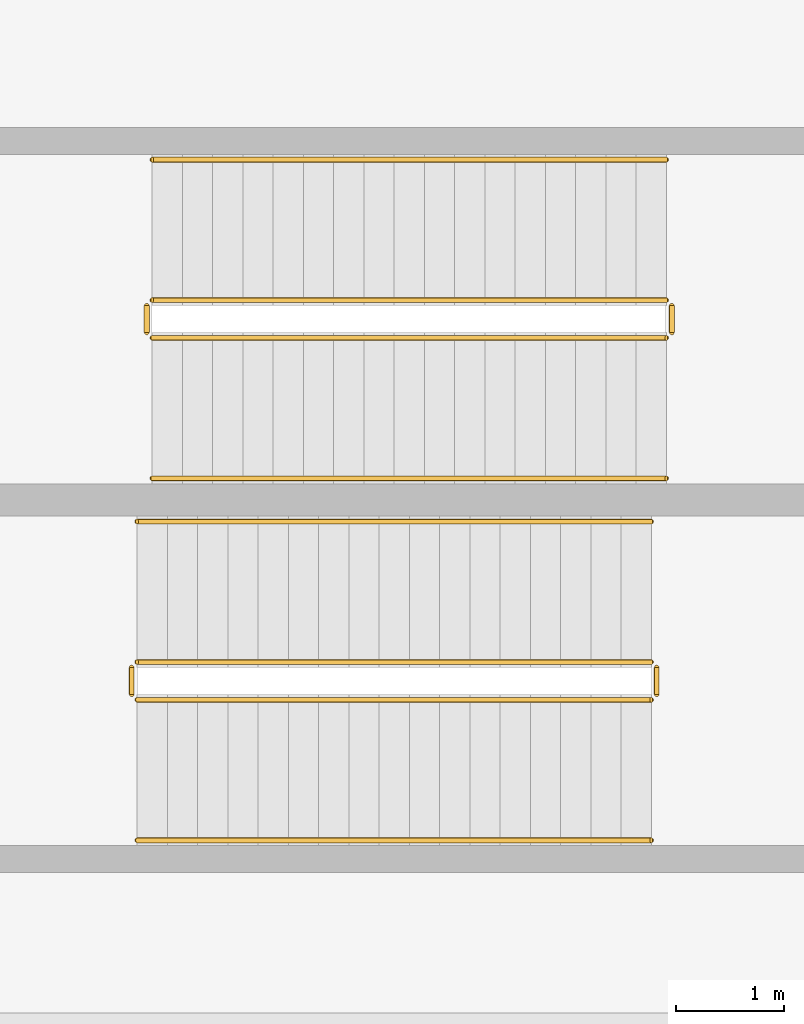
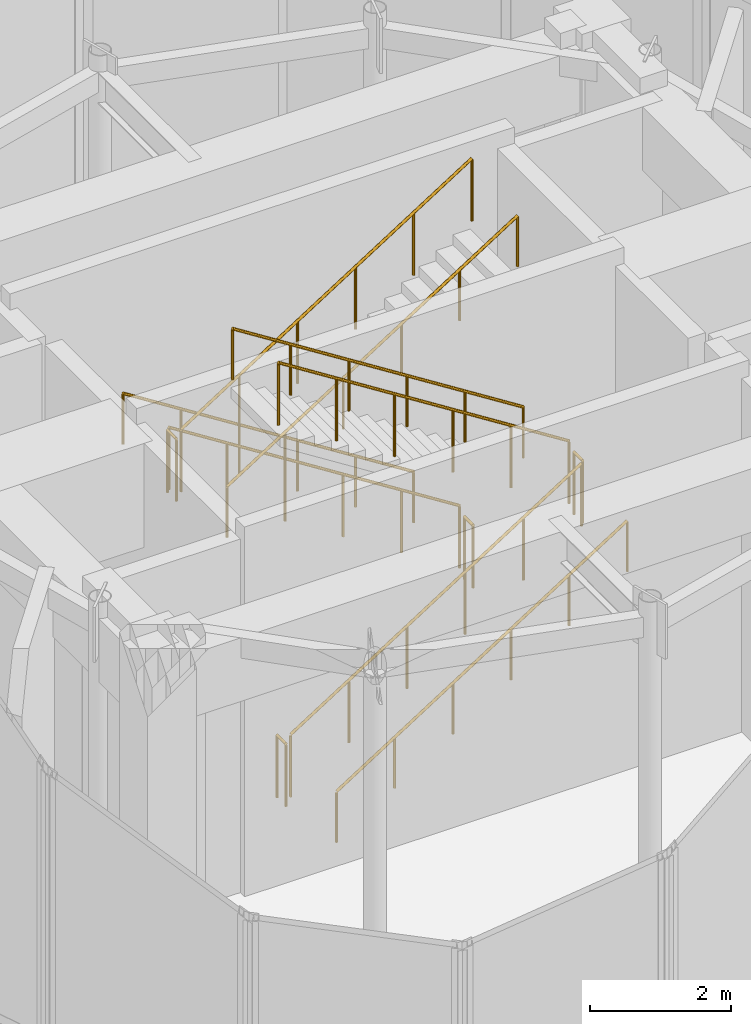
# One storey, part 8 of 8: 12 railings.
"""IFC4 building model written with IfcOpenShell, lengths in metres."""

from ifc_helpers import new_model, si_unit, direction, frame, origin, origin_2d, place, context, subcontext, project, spatial, circle, extrude, material, type_object, element, save


model = new_model("IFC4")

# Units and contexts
model_context = context("Model", 3, precision=1e-05, world=origin(), true_north=direction((0.0, 1.0)))
body_context = subcontext(model_context, "Body", "Model", "MODEL_VIEW")
ifc_project = project(units=[si_unit("LENGTHUNIT", "METRE"), si_unit("AREAUNIT", "SQUARE_METRE"), si_unit("VOLUMEUNIT", "CUBIC_METRE"), si_unit("PLANEANGLEUNIT", "RADIAN"), si_unit("MASSUNIT", "GRAM", prefix="KILO")], contexts=[model_context])

# Site, building, storey
site_placement = place(None, origin())
site = spatial("IfcSite", under=ifc_project, at=site_placement, CompositionType="ELEMENT")
building_placement = place(site_placement, origin())
building = spatial("IfcBuilding", under=site, at=building_placement, Name="Solvirekh Grand Hotel", CompositionType="ELEMENT")
storey_placement = place(building_placement, frame((0.0, 0.0, 327.39990234375)))
storey = spatial("IfcBuildingStorey", under=building, at=storey_placement, Name="L82", CompositionType="ELEMENT", Elevation=327.39990234375)

# Railings
ifc_material_1 = material(Name="Steel S355", Category="steel")
railing_type_1 = type_object("IfcRailingType", Name="Guard_Stair_1100", PredefinedType="GUARDRAIL", material=ifc_material_1)
railing_1_placement = place(storey_placement, frame((-2.449951171875, -1.85009765625, 0.177978515625)))
element("IfcRailing", 1, at=railing_1_placement, inside=storey, type_object=railing_type_1, Name="L82 ST-1 stair guard 1", PredefinedType="GUARDRAIL", context=body_context, shape_type="SweptSolid", body=[
    extrude(circle(Radius=0.02392578125, at=origin_2d()), frame((0.0, 0.0, 1.076171875), z_axis=(0.844213748262, 0.0, 0.536006667166), x_axis=(0.0, 1.0, 0.0)), (0.0, 0.0, 1.0), 5.638427734375),
    extrude(circle(Radius=0.02099609375, at=origin_2d()), origin(), (0.0, 0.0, 1.0), 1.052001953125),
    extrude(circle(Radius=0.02099609375, at=origin_2d()), frame((0.951904296875, 0.0, 0.6044921875)), (0.0, 0.0, 1.0), 1.052001953125),
    extrude(circle(Radius=0.02099609375, at=origin_2d()), frame((1.904052734375, 0.0, 1.208984375)), (0.0, 0.0, 1.0), 1.052001953125),
    extrude(circle(Radius=0.02099609375, at=origin_2d()), frame((2.85595703125, 0.0, 1.813232421875)), (0.0, 0.0, 1.0), 1.052001953125),
    extrude(circle(Radius=0.02099609375, at=origin_2d()), frame((3.80810546875, 0.0, 2.417724609375)), (0.0, 0.0, 1.0), 1.052001953125),
    extrude(circle(Radius=0.02099609375, at=origin_2d()), frame((4.760009765625, 0.0, 3.022216796875)), (0.0, 0.0, 1.0), 1.052001953125),
])
railing_2_placement = place(storey_placement, frame((2.360107421875, -1.800048828125, 3.2001953125)))
element("IfcRailing", 2, at=railing_2_placement, inside=storey, type_object=railing_type_1, Name="L82 ST-1 stair guard 2", PredefinedType="GUARDRAIL", context=body_context, shape_type="SweptSolid", body=[
    extrude(circle(Radius=0.02392578125, at=origin_2d()), frame((0.0, 0.0, 1.076171875), z_axis=(0.0, 1.0, 0.0), x_axis=(-1.0, 0.0, 0.0)), (0.0, 0.0, 1.0), 0.25),
    extrude(circle(Radius=0.02099609375, at=origin_2d()), origin(), (0.0, 0.0, 1.0), 1.052001953125),
    extrude(circle(Radius=0.02099609375, at=origin_2d()), frame((0.0, 0.25, 0.0)), (0.0, 0.0, 1.0), 1.052001953125),
])
railing_3_placement = place(storey_placement, frame((2.31005859375, -1.5, 3.3779296875)))
element("IfcRailing", 3, at=railing_3_placement, inside=storey, type_object=railing_type_1, Name="L82 ST-1 stair guard 3", PredefinedType="GUARDRAIL", context=body_context, shape_type="SweptSolid", body=[
    extrude(circle(Radius=0.02392578125, at=origin_2d()), frame((0.0, 0.0, 1.076171875), z_axis=(-0.844213748262, 0.0, 0.536006667166), x_axis=(0.0, -1.0, 0.0)), (0.0, 0.0, 1.0), 5.638427734375),
    extrude(circle(Radius=0.02099609375, at=origin_2d()), origin(), (0.0, 0.0, 1.0), 1.052001953125),
    extrude(circle(Radius=0.02099609375, at=origin_2d()), frame((-0.951904296875, 0.0, 0.6044921875)), (0.0, 0.0, 1.0), 1.052001953125),
    extrude(circle(Radius=0.02099609375, at=origin_2d()), frame((-1.904052734375, 0.0, 1.208984375)), (0.0, 0.0, 1.0), 1.052001953125),
    extrude(circle(Radius=0.02099609375, at=origin_2d()), frame((-2.85595703125, 0.0, 1.813232421875)), (0.0, 0.0, 1.0), 1.052001953125),
    extrude(circle(Radius=0.02099609375, at=origin_2d()), frame((-3.80810546875, 0.0, 2.417724609375)), (0.0, 0.0, 1.0), 1.052001953125),
    extrude(circle(Radius=0.02099609375, at=origin_2d()), frame((-4.760009765625, 0.0, 3.022216796875)), (0.0, 0.0, 1.0), 1.052001953125),
])
railing_4_placement = place(storey_placement, frame((-2.5, -1.800048828125, 0.0)))
element("IfcRailing", 4, at=railing_4_placement, inside=storey, type_object=railing_type_1, Name="L82 ST-1 stair guard 4", PredefinedType="GUARDRAIL", context=body_context, shape_type="SweptSolid", body=[
    extrude(circle(Radius=0.02392578125, at=origin_2d()), frame((0.0, 0.0, 1.076171875), z_axis=(0.0, 1.0, 0.0), x_axis=(-1.0, 0.0, 0.0)), (0.0, 0.0, 1.0), 0.25),
    extrude(circle(Radius=0.02099609375, at=origin_2d()), origin(), (0.0, 0.0, 1.0), 1.052001953125),
    extrude(circle(Radius=0.02099609375, at=origin_2d()), frame((0.0, 0.25, 0.0)), (0.0, 0.0, 1.0), 1.052001953125),
])
railing_5_placement = place(storey_placement, frame((2.449951171875, 1.85009765625, 0.177978515625)))
element("IfcRailing", 5, at=railing_5_placement, inside=storey, type_object=railing_type_1, Name="L82 ST-2 stair guard 1", PredefinedType="GUARDRAIL", context=body_context, shape_type="SweptSolid", body=[
    extrude(circle(Radius=0.02392578125, at=origin_2d()), frame((0.0, 0.0, 1.076171875), z_axis=(-0.844213748262, 0.0, 0.536006667166), x_axis=(0.0, -1.0, 0.0)), (0.0, 0.0, 1.0), 5.638427734375),
    extrude(circle(Radius=0.02099609375, at=origin_2d()), origin(), (0.0, 0.0, 1.0), 1.052001953125),
    extrude(circle(Radius=0.02099609375, at=origin_2d()), frame((-0.951904296875, 0.0, 0.6044921875)), (0.0, 0.0, 1.0), 1.052001953125),
    extrude(circle(Radius=0.02099609375, at=origin_2d()), frame((-1.904052734375, 0.0, 1.208984375)), (0.0, 0.0, 1.0), 1.052001953125),
    extrude(circle(Radius=0.02099609375, at=origin_2d()), frame((-2.85595703125, 0.0, 1.813232421875)), (0.0, 0.0, 1.0), 1.052001953125),
    extrude(circle(Radius=0.02099609375, at=origin_2d()), frame((-3.80810546875, 0.0, 2.417724609375)), (0.0, 0.0, 1.0), 1.052001953125),
    extrude(circle(Radius=0.02099609375, at=origin_2d()), frame((-4.760009765625, 0.0, 3.022216796875)), (0.0, 0.0, 1.0), 1.052001953125),
])
railing_6_placement = place(storey_placement, frame((-2.360107421875, 1.800048828125, 3.2001953125)))
element("IfcRailing", 6, at=railing_6_placement, inside=storey, type_object=railing_type_1, Name="L82 ST-2 stair guard 2", PredefinedType="GUARDRAIL", context=body_context, shape_type="SweptSolid", body=[
    extrude(circle(Radius=0.02392578125, at=origin_2d()), frame((0.0, 0.0, 1.076171875), z_axis=(0.0, -1.0, 0.0), x_axis=(1.0, 0.0, 0.0)), (0.0, 0.0, 1.0), 0.25),
    extrude(circle(Radius=0.02099609375, at=origin_2d()), origin(), (0.0, 0.0, 1.0), 1.052001953125),
    extrude(circle(Radius=0.02099609375, at=origin_2d()), frame((0.0, -0.25, 0.0)), (0.0, 0.0, 1.0), 1.052001953125),
])
railing_7_placement = place(storey_placement, frame((-2.31005859375, 1.5, 3.3779296875)))
element("IfcRailing", 7, at=railing_7_placement, inside=storey, type_object=railing_type_1, Name="L82 ST-2 stair guard 3", PredefinedType="GUARDRAIL", context=body_context, shape_type="SweptSolid", body=[
    extrude(circle(Radius=0.02392578125, at=origin_2d()), frame((0.0, 0.0, 1.076171875), z_axis=(0.844213748262, 0.0, 0.536006667166), x_axis=(0.0, 1.0, 0.0)), (0.0, 0.0, 1.0), 5.638427734375),
    extrude(circle(Radius=0.02099609375, at=origin_2d()), origin(), (0.0, 0.0, 1.0), 1.052001953125),
    extrude(circle(Radius=0.02099609375, at=origin_2d()), frame((0.951904296875, 0.0, 0.6044921875)), (0.0, 0.0, 1.0), 1.052001953125),
    extrude(circle(Radius=0.02099609375, at=origin_2d()), frame((1.904052734375, 0.0, 1.208984375)), (0.0, 0.0, 1.0), 1.052001953125),
    extrude(circle(Radius=0.02099609375, at=origin_2d()), frame((2.85595703125, 0.0, 1.813232421875)), (0.0, 0.0, 1.0), 1.052001953125),
    extrude(circle(Radius=0.02099609375, at=origin_2d()), frame((3.80810546875, 0.0, 2.417724609375)), (0.0, 0.0, 1.0), 1.052001953125),
    extrude(circle(Radius=0.02099609375, at=origin_2d()), frame((4.760009765625, 0.0, 3.022216796875)), (0.0, 0.0, 1.0), 1.052001953125),
])
railing_8_placement = place(storey_placement, frame((2.5, 1.800048828125, 0.0)))
element("IfcRailing", 8, at=railing_8_placement, inside=storey, type_object=railing_type_1, Name="L82 ST-2 stair guard 4", PredefinedType="GUARDRAIL", context=body_context, shape_type="SweptSolid", body=[
    extrude(circle(Radius=0.02392578125, at=origin_2d()), frame((0.0, 0.0, 1.076171875), z_axis=(0.0, -1.0, 0.0), x_axis=(1.0, 0.0, 0.0)), (0.0, 0.0, 1.0), 0.25),
    extrude(circle(Radius=0.02099609375, at=origin_2d()), origin(), (0.0, 0.0, 1.0), 1.052001953125),
    extrude(circle(Radius=0.02099609375, at=origin_2d()), frame((0.0, -0.25, 0.0)), (0.0, 0.0, 1.0), 1.052001953125),
])
ifc_material_2 = material(Name="Anodized Bronze Aluminium 6063-T6", Category="aluminium")
railing_type_2 = type_object("IfcRailingType", Name="Handrail_Wall_900", PredefinedType="HANDRAIL", material=ifc_material_2)
railing_9_placement = place(storey_placement, frame((-2.449951171875, -3.14990234375, 0.177978515625)))
element("IfcRailing", 9, at=railing_9_placement, inside=storey, type_object=railing_type_2, Name="L82 ST-1 stair handrail 1", PredefinedType="HANDRAIL", context=body_context, shape_type="SweptSolid", body=[
    extrude(circle(Radius=0.02392578125, at=origin_2d()), frame((0.0, 0.0, 0.8759765625), z_axis=(0.844213748262, 0.0, 0.536006667166), x_axis=(0.0, 1.0, 0.0)), (0.0, 0.0, 1.0), 5.638427734375),
    extrude(circle(Radius=0.02099609375, at=origin_2d()), origin(), (0.0, 0.0, 1.0), 0.851806640625),
    extrude(circle(Radius=0.02099609375, at=origin_2d()), frame((0.951904296875, 0.0, 0.6044921875)), (0.0, 0.0, 1.0), 0.851806640625),
    extrude(circle(Radius=0.02099609375, at=origin_2d()), frame((1.904052734375, 0.0, 1.208984375)), (0.0, 0.0, 1.0), 0.851806640625),
    extrude(circle(Radius=0.02099609375, at=origin_2d()), frame((2.85595703125, 0.0, 1.813232421875)), (0.0, 0.0, 1.0), 0.851806640625),
    extrude(circle(Radius=0.02099609375, at=origin_2d()), frame((3.80810546875, 0.0, 2.417724609375)), (0.0, 0.0, 1.0), 0.851806640625),
    extrude(circle(Radius=0.02099609375, at=origin_2d()), frame((4.760009765625, 0.0, 3.022216796875)), (0.0, 0.0, 1.0), 0.851806640625),
])
for number, where, name in (
    (10, (2.31005859375, -0.199951171875, 3.3779296875), "L82 ST-1 stair handrail 2"),
    (11, (2.449951171875, 3.14990234375, 0.177978515625), "L82 ST-2 stair handrail 1"),
):
    element("IfcRailing", number, at=place(storey_placement, frame(where)), inside=storey, type_object=railing_type_2, Name=name, PredefinedType="HANDRAIL", context=body_context, shape_type="SweptSolid", body=[
        extrude(circle(Radius=0.02392578125, at=origin_2d()), frame((0.0, 0.0, 0.8759765625), z_axis=(-0.844213748262, 0.0, 0.536006667166), x_axis=(0.0, -1.0, 0.0)), (0.0, 0.0, 1.0), 5.638427734375),
        extrude(circle(Radius=0.02099609375, at=origin_2d()), origin(), (0.0, 0.0, 1.0), 0.851806640625),
        extrude(circle(Radius=0.02099609375, at=origin_2d()), frame((-0.951904296875, 0.0, 0.6044921875)), (0.0, 0.0, 1.0), 0.851806640625),
        extrude(circle(Radius=0.02099609375, at=origin_2d()), frame((-1.904052734375, 0.0, 1.208984375)), (0.0, 0.0, 1.0), 0.851806640625),
        extrude(circle(Radius=0.02099609375, at=origin_2d()), frame((-2.85595703125, 0.0, 1.813232421875)), (0.0, 0.0, 1.0), 0.851806640625),
        extrude(circle(Radius=0.02099609375, at=origin_2d()), frame((-3.80810546875, 0.0, 2.417724609375)), (0.0, 0.0, 1.0), 0.851806640625),
        extrude(circle(Radius=0.02099609375, at=origin_2d()), frame((-4.760009765625, 0.0, 3.022216796875)), (0.0, 0.0, 1.0), 0.851806640625),
    ])
railing_10_placement = place(storey_placement, frame((-2.31005859375, 0.199951171875, 3.3779296875)))
element("IfcRailing", 12, at=railing_10_placement, inside=storey, type_object=railing_type_2, Name="L82 ST-2 stair handrail 2", PredefinedType="HANDRAIL", context=body_context, shape_type="SweptSolid", body=[
    extrude(circle(Radius=0.02392578125, at=origin_2d()), frame((0.0, 0.0, 0.8759765625), z_axis=(0.844213748262, 0.0, 0.536006667166), x_axis=(0.0, 1.0, 0.0)), (0.0, 0.0, 1.0), 5.638427734375),
    extrude(circle(Radius=0.02099609375, at=origin_2d()), origin(), (0.0, 0.0, 1.0), 0.851806640625),
    extrude(circle(Radius=0.02099609375, at=origin_2d()), frame((0.951904296875, 0.0, 0.6044921875)), (0.0, 0.0, 1.0), 0.851806640625),
    extrude(circle(Radius=0.02099609375, at=origin_2d()), frame((1.904052734375, 0.0, 1.208984375)), (0.0, 0.0, 1.0), 0.851806640625),
    extrude(circle(Radius=0.02099609375, at=origin_2d()), frame((2.85595703125, 0.0, 1.813232421875)), (0.0, 0.0, 1.0), 0.851806640625),
    extrude(circle(Radius=0.02099609375, at=origin_2d()), frame((3.80810546875, 0.0, 2.417724609375)), (0.0, 0.0, 1.0), 0.851806640625),
    extrude(circle(Radius=0.02099609375, at=origin_2d()), frame((4.760009765625, 0.0, 3.022216796875)), (0.0, 0.0, 1.0), 0.851806640625),
])

save(model, "model.ifc")
